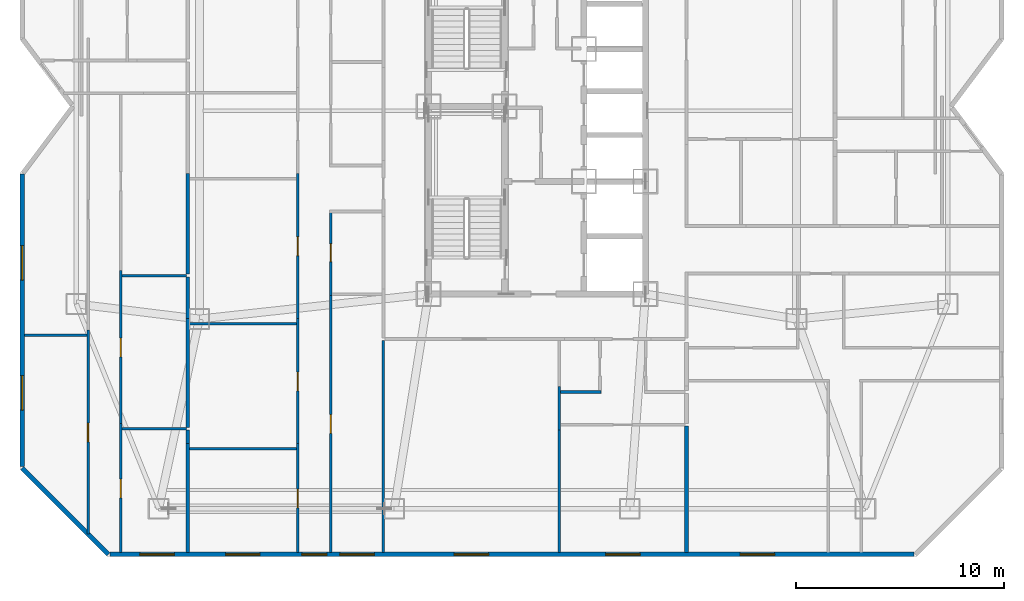
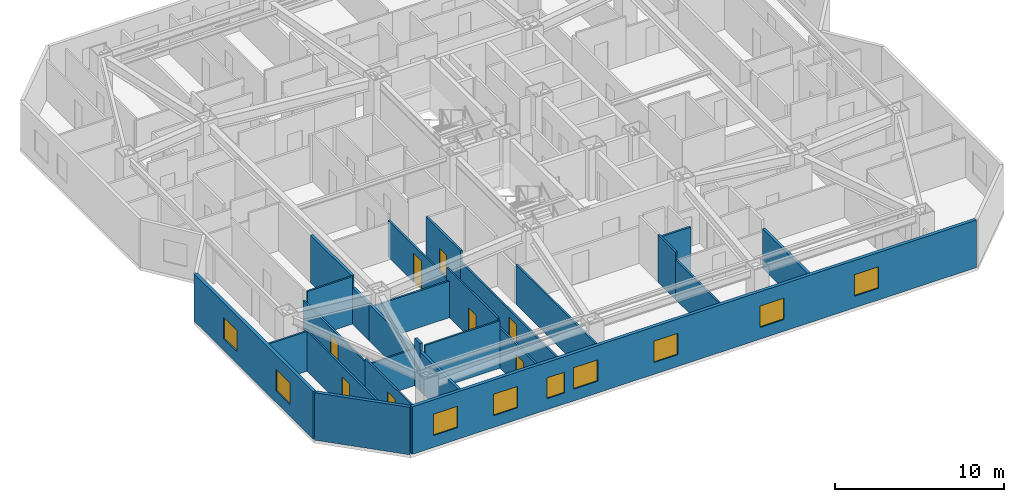
# One storey, part 5 of 12: 26 walls, 9 windows, 8 doors, 17 openings.
"""IFC4 building model written with IfcOpenShell, lengths in metres."""

from ifc_helpers import new_model, si_unit, direction, frame, frame_2d, origin, place, context, subcontext, project, spatial, rectangle, extrude, material, layer, layer_set, type_object, element, fill, save


model = new_model("IFC4")

# Units and contexts
model_context = context("Model", 3, precision=1e-05, world=origin(), true_north=direction((0.0, 1.0)))
body_context = subcontext(model_context, "Body", "Model", "MODEL_VIEW")
ifc_project = project(units=[si_unit("LENGTHUNIT", "METRE"), si_unit("AREAUNIT", "SQUARE_METRE"), si_unit("VOLUMEUNIT", "CUBIC_METRE"), si_unit("PLANEANGLEUNIT", "RADIAN"), si_unit("MASSUNIT", "GRAM", prefix="KILO")], contexts=[model_context])

# Site, building, storey
site_placement = place(None, origin())
site = spatial("IfcSite", under=ifc_project, at=site_placement, CompositionType="ELEMENT")
building_placement = place(site_placement, origin())
building = spatial("IfcBuilding", under=site, at=building_placement, Name="Khamvora Tower", CompositionType="ELEMENT")
storey_placement = place(building_placement, frame((0.0, 0.0, 127.449951171875)))
storey = spatial("IfcBuildingStorey", under=building, at=storey_placement, Name="L32", CompositionType="ELEMENT", Elevation=127.449951171875)

# Walls
ifc_material_1 = material(Name="Acoustic Double-Stud Fire Wall", Category="gypsum")
ifc_layer_1 = layer(ifc_material_1, 0.179931640625)
ifc_layer_set_1 = layer_set([ifc_layer_1], Name="Acoustic Double-Stud Fire Wall")
wall_type_1 = type_object("IfcWallType", Name="WAL-CORR-180", PredefinedType="STANDARD", material=ifc_layer_set_1)
wall_1_placement = place(storey_placement, frame((17.449951171875, 11.822021484375, 0.0), z_axis=(0.0, 0.0, 1.0), x_axis=(0.0, -1.0, 0.0)))
element("IfcWall", 1, at=wall_1_placement, inside=storey, type_object=wall_type_1, Name="L32 interior partition wall 064", PredefinedType="STANDARD", context=body_context, shape_type="SweptSolid", body=[
    extrude(rectangle(XDim=5.2099609375, YDim=0.179931640625, at=frame_2d((2.60498046875, 0.0))), origin(), (0.0, 0.0, 1.0), 2.8759765625),
])
wall_2_placement = place(storey_placement, frame((17.449951171875, 12.469970703125, 0.0), z_axis=(0.0, 0.0, 1.0), x_axis=(0.0, -1.0, 0.0)))
element("IfcWall", 2, at=wall_2_placement, inside=storey, type_object=wall_type_1, Name="L32 interior partition wall 065", PredefinedType="STANDARD", context=body_context, shape_type="SweptSolid", body=[
    extrude(rectangle(XDim=0.64794921875, YDim=0.179931640625, at=frame_2d((0.323974609375, 0.0))), origin(), (0.0, 0.0, 1.0), 3.429931640625),
])
wall_3_placement = place(storey_placement, frame((17.449951171875, 17.8330078125, 0.0), z_axis=(0.0, 0.0, 1.0), x_axis=(0.0, -1.0, 0.0)))
element("IfcWall", 3, at=wall_3_placement, inside=storey, type_object=wall_type_1, Name="L32 interior partition wall 067", PredefinedType="STANDARD", context=body_context, shape_type="SweptSolid", body=[
    extrude(rectangle(XDim=5.23291015625, YDim=0.179931640625, at=frame_2d((2.616455078125, 0.0))), origin(), (0.0, 0.0, 1.0), 2.64697265625),
])
wall_4_placement = place(storey_placement, frame((17.449951171875, 19.820068359375, 0.0), z_axis=(0.0, 0.0, 1.0), x_axis=(0.0, -1.0, 0.0)))
element("IfcWall", 4, at=wall_4_placement, inside=storey, type_object=wall_type_1, Name="L32 interior partition wall 068", PredefinedType="STANDARD", context=body_context, shape_type="SweptSolid", body=[
    extrude(rectangle(XDim=1.987060546875, YDim=0.179931640625, at=frame_2d((0.99365234375, 0.0))), origin(), (0.0, 0.0, 1.0), 2.64697265625),
])
wall_5_placement = place(storey_placement, frame((17.449951171875, 24.7890625, 0.0), z_axis=(0.0, 0.0, 1.0), x_axis=(0.0, -1.0, 0.0)))
element("IfcWall", 5, at=wall_5_placement, inside=storey, type_object=wall_type_1, Name="L32 interior partition wall 069", PredefinedType="STANDARD", context=body_context, shape_type="SweptSolid", body=[
    extrude(rectangle(XDim=4.839111328125, YDim=0.179931640625, at=frame_2d((2.41943359375, 0.0))), origin(), (0.0, 0.0, 1.0), 3.429931640625),
])
wall_6_placement = place(storey_placement, frame((41.364990234375, 12.659912109375, 0.0), z_axis=(0.0, 0.0, 1.0), x_axis=(0.0, -1.0, 0.0)))
element("IfcWall", 6, at=wall_6_placement, inside=storey, type_object=wall_type_1, Name="L32 interior partition wall 120", PredefinedType="STANDARD", context=body_context, shape_type="SweptSolid", body=[
    extrude(rectangle(XDim=6.0478515625, YDim=0.179931640625, at=frame_2d((3.02392578125, 0.0))), origin(), (0.0, 0.0, 1.0), 2.8759765625),
])
ifc_material_2 = material(Name="Precast concrete C40/50", Category="concrete")
ifc_layer_2 = layer(ifc_material_2, 0.219970703125)
ifc_layer_set_2 = layer_set([ifc_layer_2], Name="Precast concrete C40/50")
wall_type_2 = type_object("IfcWallType", Name="WAL-EXT-220", PredefinedType="STANDARD", material=ifc_layer_set_2)
wall_7_placement = place(storey_placement, frame((13.64599609375, 6.510009765625, 0.0), z_axis=(0.0, 0.0, 1.0), x_axis=(-0.707106781187, 0.707106781187, 0.0)))
element("IfcWall", 7, at=wall_7_placement, inside=storey, type_object=wall_type_2, Name="L32 exterior facade wall 01.1", PredefinedType="STANDARD", context=body_context, shape_type="SweptSolid", body=[
    extrude(rectangle(XDim=5.84912109375, YDim=0.219970703125, at=frame_2d((2.924560546875, 0.0))), origin(), (0.0, 0.0, 1.0), 3.429931640625),
])

# Wall, openings, windows
wall_8_placement = place(storey_placement, frame((9.510009765625, 10.717041015625, 0.0), z_axis=(0.0, 0.0, 1.0), x_axis=(0.0, 1.0, 0.0)))
wall_8 = element("IfcWall", 8, at=wall_8_placement, inside=storey, type_object=wall_type_2, Name="L32 exterior facade wall 02.1", PredefinedType="STANDARD", context=body_context, shape_type="SweptSolid", body=[
    extrude(rectangle(XDim=14.0458984375, YDim=0.219970703125, at=frame_2d((7.02294921875, 0.0))), origin(), (0.0, 0.0, 1.0), 3.429931640625),
])
opening_1_placement = place(wall_8_placement, frame((2.718017578125, 0.0, 0.85009765625)))
opening_1 = element("IfcOpeningElement", 9, at=opening_1_placement, cuts=wall_8, Name="Opening WN-06", PredefinedType="OPENING", context=body_context, shape_type="SweptSolid", body=[
    extrude(rectangle(XDim=1.64990234375, YDim=1.550048828125, at=frame_2d((0.824951171875, 0.77490234375))), frame((0.0, 0.119873046875, 0.0), z_axis=(0.0, -1.0, 0.0), x_axis=(1.0, 0.0, 0.0)), (0.0, 0.0, 1.0), 0.239990234375),
])
opening_2_placement = place(wall_8_placement, frame((8.9560546875, 0.0, 0.85009765625)))
opening_2 = element("IfcOpeningElement", 10, at=opening_2_placement, cuts=wall_8, Name="Opening WN-06", PredefinedType="OPENING", context=body_context, shape_type="SweptSolid", body=[
    extrude(rectangle(XDim=1.64990234375, YDim=1.550048828125, at=frame_2d((0.824951171875, 0.77490234375))), frame((0.0, 0.119873046875, 0.0), z_axis=(0.0, -1.0, 0.0), x_axis=(1.0, 0.0, 0.0)), (0.0, 0.0, 1.0), 0.239990234375),
])
ifc_material_3 = material(Name="Low-E Laminated Double Glazing", Category="glass")
window_type_1 = type_object("IfcWindowType", Name="WIN-VIS-1650x1550", PartitioningType="SINGLE_PANEL", PredefinedType="WINDOW", material=ifc_material_3)
window_1_placement = place(opening_1_placement, origin())
window_1 = element("IfcWindow", 11, at=window_1_placement, inside=storey, type_object=window_type_1, Name="L32 vision window 02.1.01", OverallHeight=1.550048828125, OverallWidth=1.64990234375, PartitioningType="SINGLE_PANEL", PredefinedType="WINDOW", context=body_context, shape_type="SweptSolid", body=[
    extrude(rectangle(XDim=1.64990234375, YDim=1.550048828125, at=frame_2d((0.824951171875, 0.77490234375))), frame((0.0, 0.030029296875, 0.0), z_axis=(0.0, -1.0, 0.0), x_axis=(1.0, 0.0, 0.0)), (0.0, 0.0, 1.0), 0.06005859375),
])
fill(opening_1, window_1)
window_2_placement = place(opening_2_placement, origin())
window_2 = element("IfcWindow", 12, at=window_2_placement, inside=storey, type_object=window_type_1, Name="L32 vision window 02.1.02", OverallHeight=1.550048828125, OverallWidth=1.64990234375, PartitioningType="SINGLE_PANEL", PredefinedType="WINDOW", context=body_context, shape_type="SweptSolid", body=[
    extrude(rectangle(XDim=1.64990234375, YDim=1.550048828125, at=frame_2d((0.824951171875, 0.77490234375))), frame((0.0, 0.030029296875, 0.0), z_axis=(0.0, -1.0, 0.0), x_axis=(1.0, 0.0, 0.0)), (0.0, 0.0, 1.0), 0.06005859375),
])
fill(opening_2, window_2)

wall_9_placement = place(storey_placement, frame((52.282958984375, 6.510009765625, 0.0), z_axis=(0.0, 0.0, 1.0), x_axis=(-1.0, 0.0, 0.0)))
wall_9 = element("IfcWall", 13, at=wall_9_placement, inside=storey, type_object=wall_type_2, Name="L32 exterior facade wall 14.1", PredefinedType="STANDARD", context=body_context, shape_type="SweptSolid", body=[
    extrude(rectangle(XDim=38.56787109375, YDim=0.219970703125, at=frame_2d((19.283935546875, 0.0))), origin(), (0.0, 0.0, 1.0), 3.429931640625),
])
opening_3_placement = place(wall_9_placement, frame((20.407958984375, 0.0, 0.85009765625)))
opening_3 = element("IfcOpeningElement", 14, at=opening_3_placement, cuts=wall_9, Name="Opening WN-06", PredefinedType="OPENING", context=body_context, shape_type="SweptSolid", body=[
    extrude(rectangle(XDim=1.64990234375, YDim=1.550048828125, at=frame_2d((0.824951171875, 0.77490234375))), frame((0.0, 0.119873046875, 0.0), z_axis=(0.0, -1.0, 0.0), x_axis=(1.0, 0.0, 0.0)), (0.0, 0.0, 1.0), 0.239990234375),
])
opening_4_placement = place(wall_9_placement, frame((35.48291015625, 0.0, 0.85009765625)))
opening_4 = element("IfcOpeningElement", 15, at=opening_4_placement, cuts=wall_9, Name="Opening WN-06", PredefinedType="OPENING", context=body_context, shape_type="SweptSolid", body=[
    extrude(rectangle(XDim=1.64990234375, YDim=1.550048828125, at=frame_2d((0.824951171875, 0.77490234375))), frame((0.0, 0.119873046875, 0.0), z_axis=(0.0, -1.0, 0.0), x_axis=(1.0, 0.0, 0.0)), (0.0, 0.0, 1.0), 0.239990234375),
])
opening_5_placement = place(wall_9_placement, frame((25.887939453125, 0.0, 0.85009765625)))
opening_5 = element("IfcOpeningElement", 16, at=opening_5_placement, cuts=wall_9, Name="Opening WN-06", PredefinedType="OPENING", context=body_context, shape_type="SweptSolid", body=[
    extrude(rectangle(XDim=1.64990234375, YDim=1.550048828125, at=frame_2d((0.824951171875, 0.77490234375))), frame((0.0, 0.119873046875, 0.0), z_axis=(0.0, -1.0, 0.0), x_axis=(1.0, 0.0, 0.0)), (0.0, 0.0, 1.0), 0.239990234375),
])
opening_6_placement = place(wall_9_placement, frame((28.16796875, 0.0, 0.800048828125)))
opening_6 = element("IfcOpeningElement", 17, at=opening_6_placement, cuts=wall_9, Name="Opening WN-03", PredefinedType="OPENING", context=body_context, shape_type="SweptSolid", body=[
    extrude(rectangle(XDim=1.199951171875, YDim=1.5, at=frame_2d((0.60009765625, 0.75))), frame((0.0, 0.119873046875, 0.0), z_axis=(0.0, -1.0, 0.0), x_axis=(1.0, 0.0, 0.0)), (0.0, 0.0, 1.0), 0.239990234375),
])
opening_7_placement = place(wall_9_placement, frame((31.37109375, 0.0, 0.85009765625)))
opening_7 = element("IfcOpeningElement", 18, at=opening_7_placement, cuts=wall_9, Name="Opening WN-06", PredefinedType="OPENING", context=body_context, shape_type="SweptSolid", body=[
    extrude(rectangle(XDim=1.64990234375, YDim=1.550048828125, at=frame_2d((0.824951171875, 0.77490234375))), frame((0.0, 0.119873046875, 0.0), z_axis=(0.0, -1.0, 0.0), x_axis=(1.0, 0.0, 0.0)), (0.0, 0.0, 1.0), 0.239990234375),
])
opening_8_placement = place(wall_9_placement, frame((13.14306640625, 0.0, 0.85009765625)))
opening_8 = element("IfcOpeningElement", 19, at=opening_8_placement, cuts=wall_9, Name="Opening WN-06", PredefinedType="OPENING", context=body_context, shape_type="SweptSolid", body=[
    extrude(rectangle(XDim=1.64990234375, YDim=1.550048828125, at=frame_2d((0.824951171875, 0.77490234375))), frame((0.0, 0.119873046875, 0.0), z_axis=(0.0, -1.0, 0.0), x_axis=(1.0, 0.0, 0.0)), (0.0, 0.0, 1.0), 0.239990234375),
])
opening_9_placement = place(wall_9_placement, frame((6.68798828125, 0.0, 0.85009765625)))
opening_9 = element("IfcOpeningElement", 20, at=opening_9_placement, cuts=wall_9, Name="Opening WN-06", PredefinedType="OPENING", context=body_context, shape_type="SweptSolid", body=[
    extrude(rectangle(XDim=1.64990234375, YDim=1.550048828125, at=frame_2d((0.824951171875, 0.77490234375))), frame((0.0, 0.119873046875, 0.0), z_axis=(0.0, -1.0, 0.0), x_axis=(1.0, 0.0, 0.0)), (0.0, 0.0, 1.0), 0.239990234375),
])
window_type_2 = type_object("IfcWindowType", Name="WIN-VIS-1200x1500", PartitioningType="SINGLE_PANEL", PredefinedType="WINDOW", material=ifc_material_3)
window_3_placement = place(opening_6_placement, origin())
window_3 = element("IfcWindow", 21, at=window_3_placement, inside=storey, type_object=window_type_2, Name="L32 vision window 14.1.04", OverallHeight=1.5, OverallWidth=1.199951171875, PartitioningType="SINGLE_PANEL", PredefinedType="WINDOW", context=body_context, shape_type="SweptSolid", body=[
    extrude(rectangle(XDim=1.199951171875, YDim=1.5, at=frame_2d((0.60009765625, 0.75))), frame((0.0, 0.030029296875, 0.0), z_axis=(0.0, -1.0, 0.0), x_axis=(1.0, 0.0, 0.0)), (0.0, 0.0, 1.0), 0.06005859375),
])
fill(opening_6, window_3)
window_4_placement = place(opening_3_placement, origin())
window_4 = element("IfcWindow", 22, at=window_4_placement, inside=storey, type_object=window_type_1, Name="L32 vision window 14.1.01", OverallHeight=1.550048828125, OverallWidth=1.64990234375, PartitioningType="SINGLE_PANEL", PredefinedType="WINDOW", context=body_context, shape_type="SweptSolid", body=[
    extrude(rectangle(XDim=1.64990234375, YDim=1.550048828125, at=frame_2d((0.824951171875, 0.77490234375))), frame((0.0, 0.030029296875, 0.0), z_axis=(0.0, -1.0, 0.0), x_axis=(1.0, 0.0, 0.0)), (0.0, 0.0, 1.0), 0.06005859375),
])
fill(opening_3, window_4)
window_5_placement = place(opening_4_placement, origin())
window_5 = element("IfcWindow", 23, at=window_5_placement, inside=storey, type_object=window_type_1, Name="L32 vision window 14.1.02", OverallHeight=1.550048828125, OverallWidth=1.64990234375, PartitioningType="SINGLE_PANEL", PredefinedType="WINDOW", context=body_context, shape_type="SweptSolid", body=[
    extrude(rectangle(XDim=1.64990234375, YDim=1.550048828125, at=frame_2d((0.824951171875, 0.77490234375))), frame((0.0, 0.030029296875, 0.0), z_axis=(0.0, -1.0, 0.0), x_axis=(1.0, 0.0, 0.0)), (0.0, 0.0, 1.0), 0.06005859375),
])
fill(opening_4, window_5)
window_6_placement = place(opening_5_placement, origin())
window_6 = element("IfcWindow", 24, at=window_6_placement, inside=storey, type_object=window_type_1, Name="L32 vision window 14.1.03", OverallHeight=1.550048828125, OverallWidth=1.64990234375, PartitioningType="SINGLE_PANEL", PredefinedType="WINDOW", context=body_context, shape_type="SweptSolid", body=[
    extrude(rectangle(XDim=1.64990234375, YDim=1.550048828125, at=frame_2d((0.824951171875, 0.77490234375))), frame((0.0, 0.030029296875, 0.0), z_axis=(0.0, -1.0, 0.0), x_axis=(1.0, 0.0, 0.0)), (0.0, 0.0, 1.0), 0.06005859375),
])
fill(opening_5, window_6)
window_7_placement = place(opening_7_placement, origin())
window_7 = element("IfcWindow", 25, at=window_7_placement, inside=storey, type_object=window_type_1, Name="L32 vision window 14.1.05", OverallHeight=1.550048828125, OverallWidth=1.64990234375, PartitioningType="SINGLE_PANEL", PredefinedType="WINDOW", context=body_context, shape_type="SweptSolid", body=[
    extrude(rectangle(XDim=1.64990234375, YDim=1.550048828125, at=frame_2d((0.824951171875, 0.77490234375))), frame((0.0, 0.030029296875, 0.0), z_axis=(0.0, -1.0, 0.0), x_axis=(1.0, 0.0, 0.0)), (0.0, 0.0, 1.0), 0.06005859375),
])
fill(opening_7, window_7)
window_8_placement = place(opening_8_placement, origin())
window_8 = element("IfcWindow", 26, at=window_8_placement, inside=storey, type_object=window_type_1, Name="L32 vision window 14.1.06", OverallHeight=1.550048828125, OverallWidth=1.64990234375, PartitioningType="SINGLE_PANEL", PredefinedType="WINDOW", context=body_context, shape_type="SweptSolid", body=[
    extrude(rectangle(XDim=1.64990234375, YDim=1.550048828125, at=frame_2d((0.824951171875, 0.77490234375))), frame((0.0, 0.030029296875, 0.0), z_axis=(0.0, -1.0, 0.0), x_axis=(1.0, 0.0, 0.0)), (0.0, 0.0, 1.0), 0.06005859375),
])
fill(opening_8, window_8)
window_9_placement = place(opening_9_placement, origin())
window_9 = element("IfcWindow", 27, at=window_9_placement, inside=storey, type_object=window_type_1, Name="L32 vision window 14.1.07", OverallHeight=1.550048828125, OverallWidth=1.64990234375, PartitioningType="SINGLE_PANEL", PredefinedType="WINDOW", context=body_context, shape_type="SweptSolid", body=[
    extrude(rectangle(XDim=1.64990234375, YDim=1.550048828125, at=frame_2d((0.824951171875, 0.77490234375))), frame((0.0, 0.030029296875, 0.0), z_axis=(0.0, -1.0, 0.0), x_axis=(1.0, 0.0, 0.0)), (0.0, 0.0, 1.0), 0.06005859375),
])
fill(opening_9, window_9)

# Walls
ifc_material_4 = material(Name="Gypsum Plasterboard Partition", Category="gypsum")
ifc_layer_3 = layer(ifc_material_4, 0.1201171875)
ifc_layer_set_3 = layer_set([ifc_layer_3], Name="Gypsum Plasterboard Partition")
wall_type_3 = type_object("IfcWallType", Name="WAL-PART-120", PredefinedType="PARTITIONING", material=ifc_layer_set_3)
wall_10_placement = place(storey_placement, frame((26.8349609375, 6.612060546875, 0.0), z_axis=(0.0, 0.0, 1.0), x_axis=(0.0, 1.0, 0.0)))
element("IfcWall", 28, at=wall_10_placement, inside=storey, type_object=wall_type_3, Name="L32 interior partition wall 045", PredefinedType="PARTITIONING", context=body_context, shape_type="SweptSolid", body=[
    extrude(rectangle(XDim=10.157958984375, YDim=0.1201171875, at=frame_2d((5.0791015625, 0.0))), origin(), (0.0, 0.0, 1.0), 2.8759765625),
])
wall_11_placement = place(storey_placement, frame((35.264892578125, 14.553955078125, 0.0), z_axis=(0.0, 0.0, 1.0), x_axis=(0.0, -1.0, 0.0)))
element("IfcWall", 29, at=wall_11_placement, inside=storey, type_object=wall_type_3, Name="L32 interior partition wall 046", PredefinedType="PARTITIONING", context=body_context, shape_type="SweptSolid", body=[
    extrude(rectangle(XDim=2.077880859375, YDim=0.1201171875, at=frame_2d((1.0390625, 0.0))), origin(), (0.0, 0.0, 1.0), 3.429931640625),
])
wall_12_placement = place(storey_placement, frame((35.264892578125, 12.47607421875, 0.0), z_axis=(0.0, 0.0, 1.0), x_axis=(0.0, -1.0, 0.0)))
element("IfcWall", 30, at=wall_12_placement, inside=storey, type_object=wall_type_3, Name="L32 interior partition wall 048", PredefinedType="PARTITIONING", context=body_context, shape_type="SweptSolid", body=[
    extrude(rectangle(XDim=5.864013671875, YDim=0.1201171875, at=frame_2d((2.93212890625, 0.0))), origin(), (0.0, 0.0, 1.0), 2.8759765625),
])

# Wall, opening, door
wall_13_placement = place(storey_placement, frame((12.662109375, 7.48291015625, 0.0), z_axis=(0.0, 0.0, 1.0), x_axis=(0.0, 1.0, 0.0)))
wall_13 = element("IfcWall", 31, at=wall_13_placement, inside=storey, type_object=wall_type_3, Name="L32 interior partition wall 053", PredefinedType="PARTITIONING", context=body_context, shape_type="SweptSolid", body=[
    extrude(rectangle(XDim=9.78515625, YDim=0.1201171875, at=frame_2d((4.892578125, 0.0))), origin(), (0.0, 0.0, 1.0), 2.8759765625),
])
opening_10_placement = place(wall_13_placement, frame((4.4208984375, 0.0, 0.0)))
opening_10 = element("IfcOpeningElement", 32, at=opening_10_placement, cuts=wall_13, Name="Opening D-RM1", PredefinedType="OPENING", context=body_context, shape_type="SweptSolid", body=[
    extrude(rectangle(XDim=0.89990234375, YDim=2.10009765625, at=frame_2d((0.449951171875, 1.050048828125))), frame((0.0, 0.070068359375, 0.0), z_axis=(0.0, -1.0, 0.0), x_axis=(1.0, 0.0, 0.0)), (0.0, 0.0, 1.0), 0.14013671875),
])
ifc_material_5 = material(Name="Powder-Coated Steel and Hardwood Leaf", Category="steel")
door_type_1 = type_object("IfcDoorType", Name="DOR-ROOM-900", OperationType="NOTDEFINED", PredefinedType="DOOR", material=ifc_material_5)
door_1_placement = place(opening_10_placement, origin())
door_1 = element("IfcDoor", 33, at=door_1_placement, inside=storey, type_object=door_type_1, Name="L32 interior door 32WA1H-32WA1L", OperationType="SINGLE_SWING_LEFT", OverallHeight=2.10009765625, OverallWidth=0.89990234375, PredefinedType="DOOR", context=body_context, shape_type="SweptSolid", body=[
    extrude(rectangle(XDim=0.89990234375, YDim=2.10009765625, at=frame_2d((0.449951171875, 1.050048828125))), frame((0.0, 0.02490234375, 0.0), z_axis=(0.0, -1.0, 0.0), x_axis=(1.0, 0.0, 0.0)), (0.0, 0.0, 1.0), 0.050048828125),
])
fill(opening_10, door_1)

wall_14_placement = place(storey_placement, frame((14.23193359375, 12.783935546875, 0.0), z_axis=(0.0, 0.0, 1.0), x_axis=(0.0, -1.0, 0.0)))
wall_14 = element("IfcWall", 34, at=wall_14_placement, inside=storey, type_object=wall_type_3, Name="L32 interior partition wall 056", PredefinedType="PARTITIONING", context=body_context, shape_type="SweptSolid", body=[
    extrude(rectangle(XDim=6.171875, YDim=0.1201171875, at=frame_2d((3.0859375, 0.0))), origin(), (0.0, 0.0, 1.0), 2.8759765625),
])
opening_11_placement = place(wall_14_placement, frame((2.656982421875, 0.0, 0.0)))
opening_11 = element("IfcOpeningElement", 35, at=opening_11_placement, cuts=wall_14, Name="Opening D-RM1", PredefinedType="OPENING", context=body_context, shape_type="SweptSolid", body=[
    extrude(rectangle(XDim=0.89990234375, YDim=2.10009765625, at=frame_2d((0.449951171875, 1.050048828125))), frame((0.0, 0.070068359375, 0.0), z_axis=(0.0, -1.0, 0.0), x_axis=(1.0, 0.0, 0.0)), (0.0, 0.0, 1.0), 0.14013671875),
])
door_2_placement = place(opening_11_placement, origin())
door_2 = element("IfcDoor", 36, at=door_2_placement, inside=storey, type_object=door_type_1, Name="L32 interior door 32WA1H-32WA1R3", OperationType="SINGLE_SWING_RIGHT", OverallHeight=2.10009765625, OverallWidth=0.89990234375, PredefinedType="DOOR", context=body_context, shape_type="SweptSolid", body=[
    extrude(rectangle(XDim=0.89990234375, YDim=2.10009765625, at=frame_2d((0.449951171875, 1.050048828125))), frame((0.0, 0.02490234375, 0.0), z_axis=(0.0, -1.0, 0.0), x_axis=(1.0, 0.0, 0.0)), (0.0, 0.0, 1.0), 0.050048828125),
])
fill(opening_11, door_2)

wall_15_placement = place(storey_placement, frame((14.23193359375, 20.134033203125, 0.0), z_axis=(0.0, 0.0, 1.0), x_axis=(0.0, -1.0, 0.0)))
wall_15 = element("IfcWall", 37, at=wall_15_placement, inside=storey, type_object=wall_type_3, Name="L32 interior partition wall 057", PredefinedType="PARTITIONING", context=body_context, shape_type="SweptSolid", body=[
    extrude(rectangle(XDim=7.35009765625, YDim=0.1201171875, at=frame_2d((3.675048828125, 0.0))), origin(), (0.0, 0.0, 1.0), 2.64697265625),
])
opening_12_placement = place(wall_15_placement, frame((3.24609375, 0.0, 0.0)))
opening_12 = element("IfcOpeningElement", 38, at=opening_12_placement, cuts=wall_15, Name="Opening D-RM1", PredefinedType="OPENING", context=body_context, shape_type="SweptSolid", body=[
    extrude(rectangle(XDim=0.89990234375, YDim=2.10009765625, at=frame_2d((0.449951171875, 1.050048828125))), frame((0.0, 0.070068359375, 0.0), z_axis=(0.0, -1.0, 0.0), x_axis=(1.0, 0.0, 0.0)), (0.0, 0.0, 1.0), 0.14013671875),
])
door_3_placement = place(opening_12_placement, origin())
door_3 = element("IfcDoor", 39, at=door_3_placement, inside=storey, type_object=door_type_1, Name="L32 interior door 32WA1H-32WA1R4", OperationType="SINGLE_SWING_LEFT", OverallHeight=2.10009765625, OverallWidth=0.89990234375, PredefinedType="DOOR", context=body_context, shape_type="SweptSolid", body=[
    extrude(rectangle(XDim=0.89990234375, YDim=2.10009765625, at=frame_2d((0.449951171875, 1.050048828125))), frame((0.0, 0.02490234375, 0.0), z_axis=(0.0, -1.0, 0.0), x_axis=(1.0, 0.0, 0.0)), (0.0, 0.0, 1.0), 0.050048828125),
])
fill(opening_12, door_3)

# Walls
wall_16_placement = place(storey_placement, frame((9.612060546875, 17.01904296875, 0.0), z_axis=(0.0, 0.0, 1.0), x_axis=(1.0, 0.0, 0.0)))
element("IfcWall", 40, at=wall_16_placement, inside=storey, type_object=wall_type_3, Name="L32 interior partition wall 062", PredefinedType="PARTITIONING", context=body_context, shape_type="SweptSolid", body=[
    extrude(rectangle(XDim=2.995849609375, YDim=0.1201171875, at=frame_2d((1.498046875, 0.0))), origin(), (0.0, 0.0, 1.0), 2.8759765625),
])
wall_17_placement = place(storey_placement, frame((14.285888671875, 12.534912109375, 0.0), z_axis=(0.0, 0.0, 1.0), x_axis=(1.0, 0.0, 0.0)))
element("IfcWall", 41, at=wall_17_placement, inside=storey, type_object=wall_type_3, Name="L32 interior partition wall 063", PredefinedType="PARTITIONING", context=body_context, shape_type="SweptSolid", body=[
    extrude(rectangle(XDim=3.09912109375, YDim=0.1201171875, at=frame_2d((1.549560546875, 0.0))), origin(), (0.0, 0.0, 1.0), 2.64697265625),
])
wall_18_placement = place(storey_placement, frame((14.285888671875, 19.885009765625, 0.0), z_axis=(0.0, 0.0, 1.0), x_axis=(1.0, 0.0, 0.0)))
element("IfcWall", 42, at=wall_18_placement, inside=storey, type_object=wall_type_3, Name="L32 interior partition wall 066", PredefinedType="PARTITIONING", context=body_context, shape_type="SweptSolid", body=[
    extrude(rectangle(XDim=3.09912109375, YDim=0.1201171875, at=frame_2d((1.549560546875, 0.0))), origin(), (0.0, 0.0, 1.0), 3.429931640625),
])

# Wall, opening, door
wall_19_placement = place(storey_placement, frame((24.304931640625, 6.612060546875, 0.0), z_axis=(0.0, 0.0, 1.0), x_axis=(0.0, 1.0, 0.0)))
wall_19 = element("IfcWall", 43, at=wall_19_placement, inside=storey, type_object=wall_type_3, Name="L32 interior partition wall 071", PredefinedType="PARTITIONING", context=body_context, shape_type="SweptSolid", body=[
    extrude(rectangle(XDim=12.31689453125, YDim=0.1201171875, at=frame_2d((6.158447265625, 0.0))), origin(), (0.0, 0.0, 1.0), 2.64697265625),
])
opening_13_placement = place(wall_19_placement, frame((5.7080078125, 0.0, 0.0)))
opening_13 = element("IfcOpeningElement", 44, at=opening_13_placement, cuts=wall_19, Name="Opening D-RM1", PredefinedType="OPENING", context=body_context, shape_type="SweptSolid", body=[
    extrude(rectangle(XDim=0.89990234375, YDim=2.10009765625, at=frame_2d((0.449951171875, 1.050048828125))), frame((0.0, 0.070068359375, 0.0), z_axis=(0.0, -1.0, 0.0), x_axis=(1.0, 0.0, 0.0)), (0.0, 0.0, 1.0), 0.14013671875),
])
door_4_placement = place(opening_13_placement, origin())
door_4 = element("IfcDoor", 45, at=door_4_placement, inside=storey, type_object=door_type_1, Name="L32 interior door 32WA2W1-32WA2H", OperationType="SINGLE_SWING_LEFT", OverallHeight=2.10009765625, OverallWidth=0.89990234375, PredefinedType="DOOR", context=body_context, shape_type="SweptSolid", body=[
    extrude(rectangle(XDim=0.89990234375, YDim=2.10009765625, at=frame_2d((0.449951171875, 1.050048828125))), frame((0.0, 0.02490234375, 0.0), z_axis=(0.0, -1.0, 0.0), x_axis=(1.0, 0.0, 0.0)), (0.0, 0.0, 1.0), 0.050048828125),
])
fill(opening_13, door_4)

wall_20_placement = place(storey_placement, frame((22.72509765625, 6.612060546875, 0.0), z_axis=(0.0, 0.0, 1.0), x_axis=(0.0, 1.0, 0.0)))
wall_20 = element("IfcWall", 46, at=wall_20_placement, inside=storey, type_object=wall_type_3, Name="L32 interior partition wall 079", PredefinedType="PARTITIONING", context=body_context, shape_type="SweptSolid", body=[
    extrude(rectangle(XDim=5.2099609375, YDim=0.1201171875, at=frame_2d((2.60498046875, 0.0))), origin(), (0.0, 0.0, 1.0), 2.8759765625),
])
opening_14_placement = place(wall_20_placement, frame((2.134033203125, 0.0, 0.0)))
opening_14 = element("IfcOpeningElement", 47, at=opening_14_placement, cuts=wall_20, Name="Opening D-RM1", PredefinedType="OPENING", context=body_context, shape_type="SweptSolid", body=[
    extrude(rectangle(XDim=0.89990234375, YDim=2.10009765625, at=frame_2d((0.449951171875, 1.050048828125))), frame((0.0, 0.070068359375, 0.0), z_axis=(0.0, -1.0, 0.0), x_axis=(1.0, 0.0, 0.0)), (0.0, 0.0, 1.0), 0.14013671875),
])
door_5_placement = place(opening_14_placement, origin())
door_5 = element("IfcDoor", 48, at=door_5_placement, inside=storey, type_object=door_type_1, Name="L32 interior door 32WA2H-32WA2L", OperationType="SINGLE_SWING_LEFT", OverallHeight=2.10009765625, OverallWidth=0.89990234375, PredefinedType="DOOR", context=body_context, shape_type="SweptSolid", body=[
    extrude(rectangle(XDim=0.89990234375, YDim=2.10009765625, at=frame_2d((0.449951171875, 1.050048828125))), frame((0.0, 0.02490234375, 0.0), z_axis=(0.0, -1.0, 0.0), x_axis=(1.0, 0.0, 0.0)), (0.0, 0.0, 1.0), 0.050048828125),
])
fill(opening_14, door_5)

wall_21_placement = place(storey_placement, frame((22.72509765625, 11.822021484375, 0.0), z_axis=(0.0, 0.0, 1.0), x_axis=(0.0, 1.0, 0.0)))
wall_21 = element("IfcWall", 49, at=wall_21_placement, inside=storey, type_object=wall_type_3, Name="L32 interior partition wall 080", PredefinedType="PARTITIONING", context=body_context, shape_type="SweptSolid", body=[
    extrude(rectangle(XDim=6.010986328125, YDim=0.1201171875, at=frame_2d((3.00537109375, 0.0))), origin(), (0.0, 0.0, 1.0), 3.429931640625),
])
opening_15_placement = place(wall_21_placement, frame((2.533935546875, 0.0, 0.0)))
opening_15 = element("IfcOpeningElement", 50, at=opening_15_placement, cuts=wall_21, Name="Opening D-RM1", PredefinedType="OPENING", context=body_context, shape_type="SweptSolid", body=[
    extrude(rectangle(XDim=0.89990234375, YDim=2.10009765625, at=frame_2d((0.449951171875, 1.050048828125))), frame((0.0, 0.070068359375, 0.0), z_axis=(0.0, -1.0, 0.0), x_axis=(1.0, 0.0, 0.0)), (0.0, 0.0, 1.0), 0.14013671875),
])
door_6_placement = place(opening_15_placement, origin())
door_6 = element("IfcDoor", 51, at=door_6_placement, inside=storey, type_object=door_type_1, Name="L32 interior door 32WA2H-32WA2R2", OperationType="SINGLE_SWING_RIGHT", OverallHeight=2.10009765625, OverallWidth=0.89990234375, PredefinedType="DOOR", context=body_context, shape_type="SweptSolid", body=[
    extrude(rectangle(XDim=0.89990234375, YDim=2.10009765625, at=frame_2d((0.449951171875, 1.050048828125))), frame((0.0, 0.02490234375, 0.0), z_axis=(0.0, -1.0, 0.0), x_axis=(1.0, 0.0, 0.0)), (0.0, 0.0, 1.0), 0.050048828125),
])
fill(opening_15, door_6)

wall_22_placement = place(storey_placement, frame((22.72509765625, 17.8330078125, 0.0), z_axis=(0.0, 0.0, 1.0), x_axis=(0.0, 1.0, 0.0)))
wall_22 = element("IfcWall", 52, at=wall_22_placement, inside=storey, type_object=wall_type_3, Name="L32 interior partition wall 081", PredefinedType="PARTITIONING", context=body_context, shape_type="SweptSolid", body=[
    extrude(rectangle(XDim=6.9560546875, YDim=0.1201171875, at=frame_2d((3.47802734375, 0.0))), origin(), (0.0, 0.0, 1.0), 2.64697265625),
])
opening_16_placement = place(wall_22_placement, frame((3.007080078125, 0.0, 0.0)))
opening_16 = element("IfcOpeningElement", 53, at=opening_16_placement, cuts=wall_22, Name="Opening D-RM1", PredefinedType="OPENING", context=body_context, shape_type="SweptSolid", body=[
    extrude(rectangle(XDim=0.89990234375, YDim=2.10009765625, at=frame_2d((0.449951171875, 1.050048828125))), frame((0.0, 0.070068359375, 0.0), z_axis=(0.0, -1.0, 0.0), x_axis=(1.0, 0.0, 0.0)), (0.0, 0.0, 1.0), 0.14013671875),
])
door_7_placement = place(opening_16_placement, origin())
door_7 = element("IfcDoor", 54, at=door_7_placement, inside=storey, type_object=door_type_1, Name="L32 interior door 32WA2H-32WA2R3", OperationType="SINGLE_SWING_LEFT", OverallHeight=2.10009765625, OverallWidth=0.89990234375, PredefinedType="DOOR", context=body_context, shape_type="SweptSolid", body=[
    extrude(rectangle(XDim=0.89990234375, YDim=2.10009765625, at=frame_2d((0.449951171875, 1.050048828125))), frame((0.0, 0.02490234375, 0.0), z_axis=(0.0, -1.0, 0.0), x_axis=(1.0, 0.0, 0.0)), (0.0, 0.0, 1.0), 0.050048828125),
])
fill(opening_16, door_7)

# Walls
wall_23_placement = place(storey_placement, frame((17.531982421875, 11.572998046875, 0.0), z_axis=(0.0, 0.0, 1.0), x_axis=(1.0, 0.0, 0.0)))
element("IfcWall", 55, at=wall_23_placement, inside=storey, type_object=wall_type_3, Name="L32 interior partition wall 084", PredefinedType="PARTITIONING", context=body_context, shape_type="SweptSolid", body=[
    extrude(rectangle(XDim=5.138916015625, YDim=0.1201171875, at=frame_2d((2.5693359375, 0.0))), origin(), (0.0, 0.0, 1.0), 3.429931640625),
])
wall_24_placement = place(storey_placement, frame((17.531982421875, 17.5830078125, 0.0), z_axis=(0.0, 0.0, 1.0), x_axis=(1.0, 0.0, 0.0)))
element("IfcWall", 56, at=wall_24_placement, inside=storey, type_object=wall_type_3, Name="L32 interior partition wall 085", PredefinedType="PARTITIONING", context=body_context, shape_type="SweptSolid", body=[
    extrude(rectangle(XDim=5.138916015625, YDim=0.1201171875, at=frame_2d((2.5693359375, 0.0))), origin(), (0.0, 0.0, 1.0), 2.64697265625),
])

# Wall, opening, door
ifc_material_6 = material(Name="Moisture-Resistant Plasterboard Partition", Category="gypsum")
ifc_layer_4 = layer(ifc_material_6, 0.135009765625)
ifc_layer_set_4 = layer_set([ifc_layer_4], Name="Moisture-Resistant Plasterboard Partition")
wall_type_4 = type_object("IfcWallType", Name="WAL-WET-135", PredefinedType="PARTITIONING", material=ifc_layer_set_4)
wall_25_placement = place(storey_placement, frame((24.304931640625, 23.02392578125, 0.0), z_axis=(0.0, 0.0, 1.0), x_axis=(0.0, -1.0, 0.0)))
wall_25 = element("IfcWall", 57, at=wall_25_placement, inside=storey, type_object=wall_type_4, Name="L32 interior partition wall 076", PredefinedType="PARTITIONING", context=body_context, shape_type="SweptSolid", body=[
    extrude(rectangle(XDim=4.094970703125, YDim=0.135009765625, at=frame_2d((2.04736328125, 0.0))), origin(), (0.0, 0.0, 1.0), 3.429931640625),
])
opening_17_placement = place(wall_25_placement, frame((1.6220703125, 0.0, 0.0)))
opening_17 = element("IfcOpeningElement", 58, at=opening_17_placement, cuts=wall_25, Name="Opening D-WC1", PredefinedType="OPENING", context=body_context, shape_type="SweptSolid", body=[
    extrude(rectangle(XDim=0.85009765625, YDim=2.10009765625, at=frame_2d((0.425048828125, 1.050048828125))), frame((0.0, 0.077392578125, 0.0), z_axis=(0.0, -1.0, 0.0), x_axis=(1.0, 0.0, 0.0)), (0.0, 0.0, 1.0), 0.155029296875),
])
door_type_2 = type_object("IfcDoorType", Name="DOR-WET-850", OperationType="NOTDEFINED", PredefinedType="DOOR", material=ifc_material_5)
door_8_placement = place(opening_17_placement, origin())
door_8 = element("IfcDoor", 59, at=door_8_placement, inside=storey, type_object=door_type_2, Name="L32 interior door 32WA2H-32WA2B", OperationType="SINGLE_SWING_LEFT", OverallHeight=2.10009765625, OverallWidth=0.85009765625, PredefinedType="DOOR", context=body_context, shape_type="SweptSolid", body=[
    extrude(rectangle(XDim=0.85009765625, YDim=2.10009765625, at=frame_2d((0.425048828125, 1.050048828125))), frame((0.0, 0.02490234375, 0.0), z_axis=(0.0, -1.0, 0.0), x_axis=(1.0, 0.0, 0.0)), (0.0, 0.0, 1.0), 0.050048828125),
])
fill(opening_17, door_8)

# Wall
wall_26_placement = place(storey_placement, frame((35.319091796875, 14.304931640625, 0.0), z_axis=(0.0, 0.0, 1.0), x_axis=(1.0, 0.0, 0.0)))
element("IfcWall", 60, at=wall_26_placement, inside=storey, type_object=wall_type_4, Name="L32 interior partition wall 112", PredefinedType="PARTITIONING", context=body_context, shape_type="SweptSolid", body=[
    extrude(rectangle(XDim=1.9609375, YDim=0.135009765625, at=frame_2d((0.98046875, 0.0))), origin(), (0.0, 0.0, 1.0), 3.429931640625),
])

save(model, "model.ifc")
